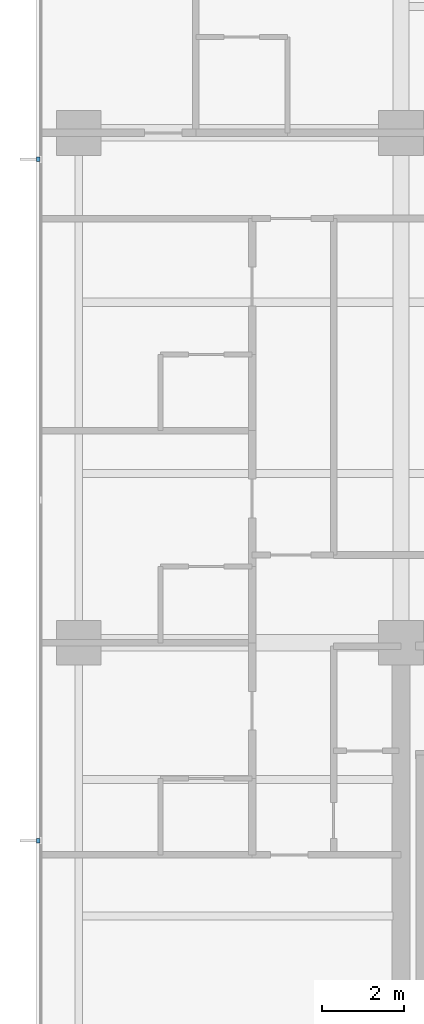
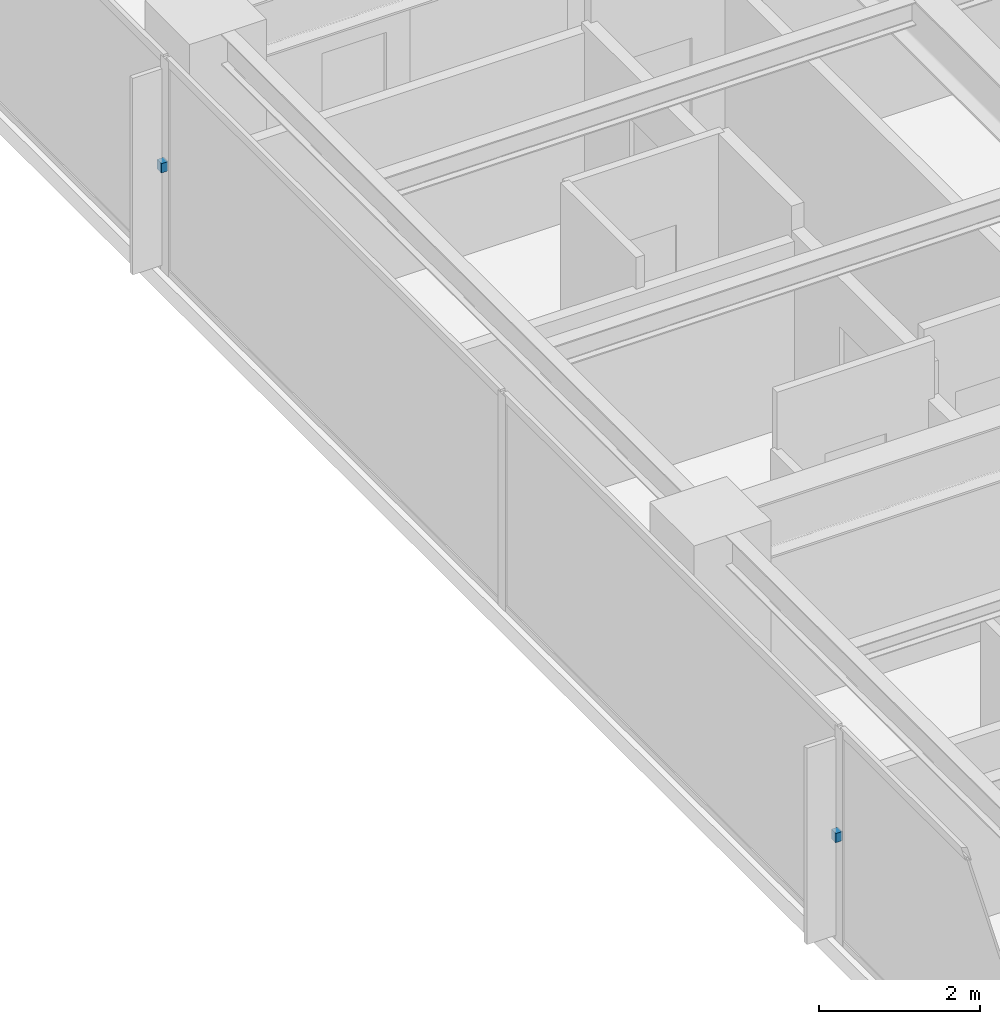
# One storey, part 12 of 16: 2 discrete accessories.
"""IFC4 building model written with IfcOpenShell, lengths in metres."""

from ifc_helpers import new_model, si_unit, direction, frame, origin, place, context, subcontext, project, spatial, polyline, outline, extrude, material, type_object, element, save


model = new_model("IFC4")

# Units and contexts
model_context = context("Model", 3, precision=1e-05, world=origin(), true_north=direction((0.0, 1.0)))
body_context = subcontext(model_context, "Body", "Model", "MODEL_VIEW")
ifc_project = project(units=[si_unit("LENGTHUNIT", "METRE"), si_unit("AREAUNIT", "SQUARE_METRE"), si_unit("VOLUMEUNIT", "CUBIC_METRE"), si_unit("PLANEANGLEUNIT", "RADIAN"), si_unit("MASSUNIT", "GRAM", prefix="KILO")], contexts=[model_context])

# Site, building, storey
site_placement = place(None, origin())
site = spatial("IfcSite", under=ifc_project, at=site_placement, CompositionType="ELEMENT")
building_placement = place(site_placement, origin())
building = spatial("IfcBuilding", under=site, at=building_placement, Name="Qalmaran Belvedere Hotel", CompositionType="ELEMENT")
storey_placement = place(building_placement, frame((0.0, 0.0, 145.60009765625)))
storey = spatial("IfcBuildingStorey", under=building, at=storey_placement, Name="L36", CompositionType="ELEMENT", Elevation=145.60009765625)

# Discrete accessories
ifc_material = material(Name="Stainless Steel 1.4401", Category="steel")
discrete_accessory_type = type_object("IfcDiscreteAccessoryType", Name="BRK-FIN-SS316", PredefinedType="BRACKET", material=ifc_material)
discrete_accessory_1_placement = place(storey_placement, frame((0.0, 0.0, 1.574951171875)))
element("IfcDiscreteAccessory", 1, at=discrete_accessory_1_placement, inside=storey, type_object=discrete_accessory_type, Name="L36 Fin Bracket 1", PredefinedType="BRACKET", context=body_context, shape_type="SweptSolid", body=[
    extrude(outline(polyline([(11.455078125, 32.405029296875), (11.360107421875, 32.405029296875), (11.360107421875, 32.294921875), (11.455078125, 32.294921875), (11.455078125, 32.405029296875)])), origin(), (0.0, 0.0, 1.0), 0.139892578125),
])
discrete_accessory_2_placement = place(storey_placement, frame((0.0, 0.0, 1.574951171875)))
element("IfcDiscreteAccessory", 2, at=discrete_accessory_2_placement, inside=storey, type_object=discrete_accessory_type, Name="L36 Fin Bracket 3", PredefinedType="BRACKET", context=body_context, shape_type="SweptSolid", body=[
    extrude(outline(polyline([(11.455078125, 15.705078125), (11.360107421875, 15.705078125), (11.360107421875, 15.594970703125), (11.455078125, 15.594970703125), (11.455078125, 15.705078125)])), origin(), (0.0, 0.0, 1.0), 0.139892578125),
])

save(model, "model.ifc")
